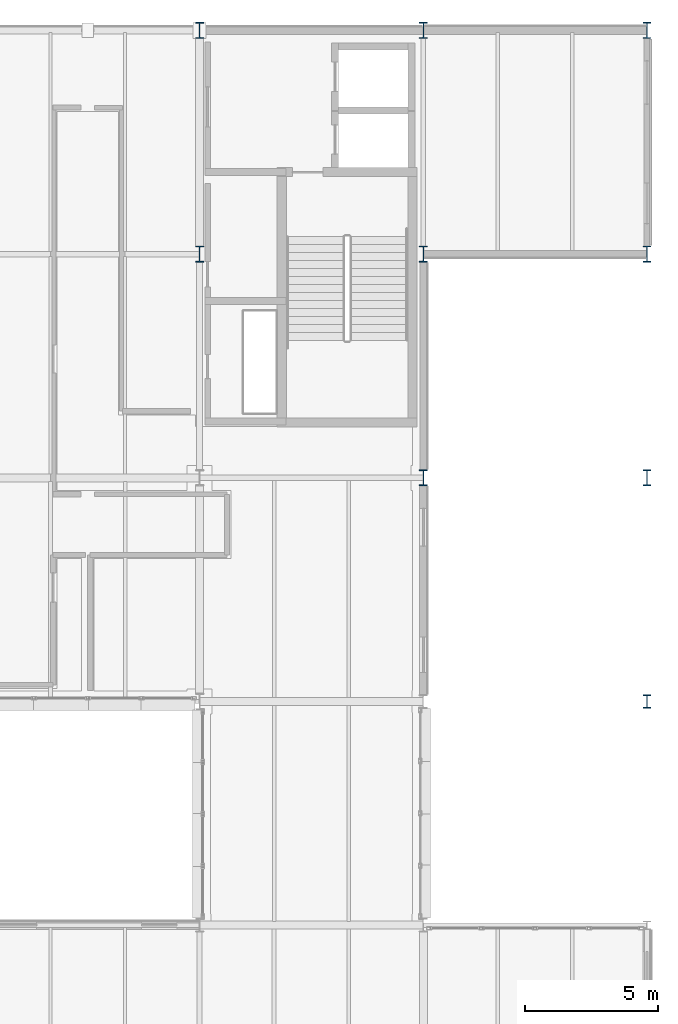
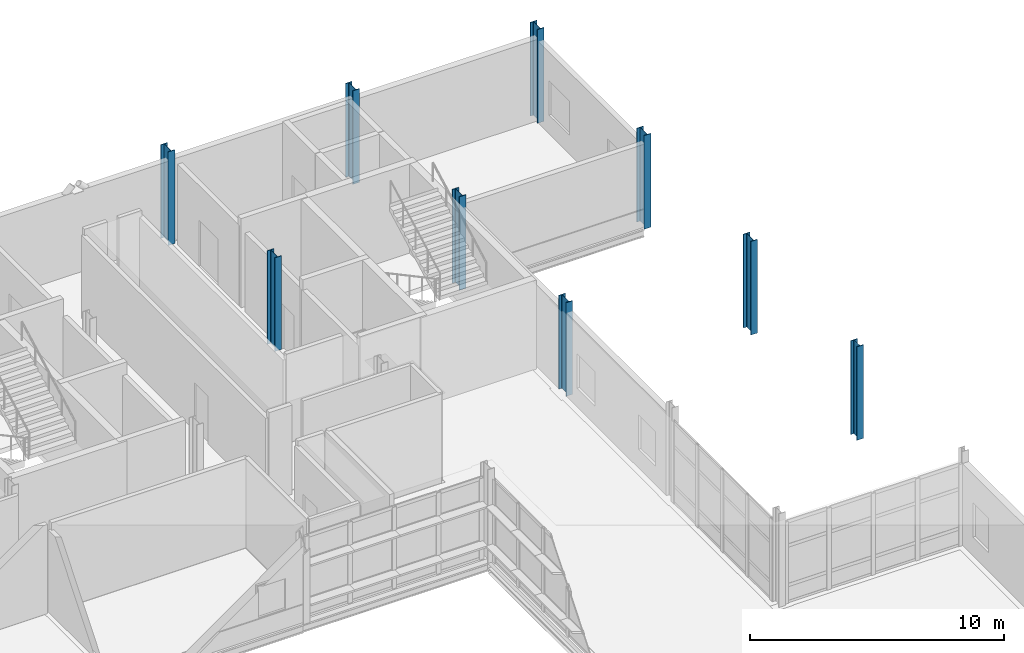
# One storey, part 18 of 129: 9 columns.
"""IFC4 building model written with IfcOpenShell, lengths in metres."""

from ifc_helpers import new_model, si_unit, direction, frame, origin, origin_2d, place, context, subcontext, project, spatial, i_section, extrude, material, material_profile, profile_set, type_object, element, save


model = new_model("IFC4")

# Units and contexts
model_context = context("Model", 3, precision=1e-05, world=origin(), true_north=direction((0.0, 1.0)))
body_context = subcontext(model_context, "Body", "Model", "MODEL_VIEW")
ifc_project = project(units=[si_unit("LENGTHUNIT", "METRE"), si_unit("AREAUNIT", "SQUARE_METRE"), si_unit("VOLUMEUNIT", "CUBIC_METRE"), si_unit("PLANEANGLEUNIT", "RADIAN"), si_unit("MASSUNIT", "GRAM", prefix="KILO")], contexts=[model_context])

# Site, building, storey
site_placement = place(None, origin())
site = spatial("IfcSite", under=ifc_project, at=site_placement, CompositionType="ELEMENT")
building_placement = place(site_placement, origin())
building = spatial("IfcBuilding", under=site, at=building_placement, Name="Mersafa Astral City Hall", CompositionType="ELEMENT")
storey_placement = place(building_placement, frame((0.0, 0.0, 5.39990234375)))
storey = spatial("IfcBuildingStorey", under=building, at=storey_placement, Name="L01", CompositionType="ELEMENT", Elevation=5.39990234375)

# Columns
ifc_material = material(Name="Steel S355", Category="steel")
ifc_material_profile_1 = material_profile(ifc_material, i_section(OverallWidth=0.300048828125, OverallDepth=0.5, WebThickness=0.014404296875, FlangeThickness=0.028076171875, FilletRadius=0.027099609375, at=origin_2d()), Name="HEB 500")
ifc_profile_set_1 = profile_set([ifc_material_profile_1], Name="Steel S355")
column_type_1 = type_object("IfcColumnType", Name="STR-COL-HEB500", PredefinedType="COLUMN", material=ifc_profile_set_1)
column_placement = place(storey_placement, frame((184.800048828125, 100.800048828125, 0.0), z_axis=(0.0, 0.0, 1.0), x_axis=(1.0, 0.0, 0.0)))
element("IfcColumn", 1, at=column_placement, inside=storey, type_object=column_type_1, Name="L01 Structural column G-22-12", PredefinedType="COLUMN", context=body_context, shape_type="SweptSolid", body=[
    extrude(i_section(OverallWidth=0.300048828125, OverallDepth=0.5, WebThickness=0.014404296875, FlangeThickness=0.028076171875, FilletRadius=0.027099609375, at=origin_2d()), origin(), (0.0, 0.0, 1.0), 4.5),
])
ifc_material_profile_2 = material_profile(ifc_material, i_section(OverallWidth=0.300048828125, OverallDepth=0.60009765625, WebThickness=0.015380859375, FlangeThickness=0.030029296875, FilletRadius=0.027099609375, at=origin_2d()), Name="HEB 600")
ifc_profile_set_2 = profile_set([ifc_material_profile_2], Name="Steel S355")
column_type_2 = type_object("IfcColumnType", Name="STR-COL-HEB600", PredefinedType="COLUMN", material=ifc_profile_set_2)
for number, where, z_axis, x_axis, name in (
    (2, (168.0, 117.60009765625, 0.0), (0.0, 0.0, 1.0), (1.0, 0.0, 0.0), "L01 Structural column G-20-14"),
    (3, (168.0, 126.0, 0.0), (0.0, 0.0, 1.0), (1.0, 0.0, 0.0), "L01 Structural column G-20-15"),
    (4, (176.39990234375, 109.199951171875, 0.0), (0.0, 0.0, 1.0), (1.0, 0.0, 0.0), "L01 Structural column G-21-13"),
    (5, (176.39990234375, 117.60009765625, 0.0), (0.0, 0.0, 1.0), (1.0, 0.0, 0.0), "L01 Structural column G-21-14"),
    (6, (176.39990234375, 126.0, 0.0), (0.0, 0.0, 1.0), (1.0, 0.0, 0.0), "L01 Structural column G-21-15"),
    (7, (184.800048828125, 109.199951171875, 0.0), (0.0, 0.0, 1.0), (1.0, 0.0, 0.0), "L01 Structural column G-22-13"),
    (8, (184.800048828125, 117.60009765625, 0.0), (0.0, 0.0, 1.0), (1.0, 0.0, 0.0), "L01 Structural column G-22-14"),
    (9, (184.800048828125, 126.0, 0.0), (0.0, 0.0, 1.0), (1.0, 0.0, 0.0), "L01 Structural column G-22-15"),
):
    element("IfcColumn", number, at=place(storey_placement, frame(where, z_axis=z_axis, x_axis=x_axis)), inside=storey, type_object=column_type_2, Name=name, PredefinedType="COLUMN", context=body_context, shape_type="SweptSolid", body=[
        extrude(i_section(OverallWidth=0.300048828125, OverallDepth=0.60009765625, WebThickness=0.015380859375, FlangeThickness=0.030029296875, FilletRadius=0.027099609375, at=origin_2d()), origin(), (0.0, 0.0, 1.0), 4.5),
    ])

save(model, "model.ifc")
